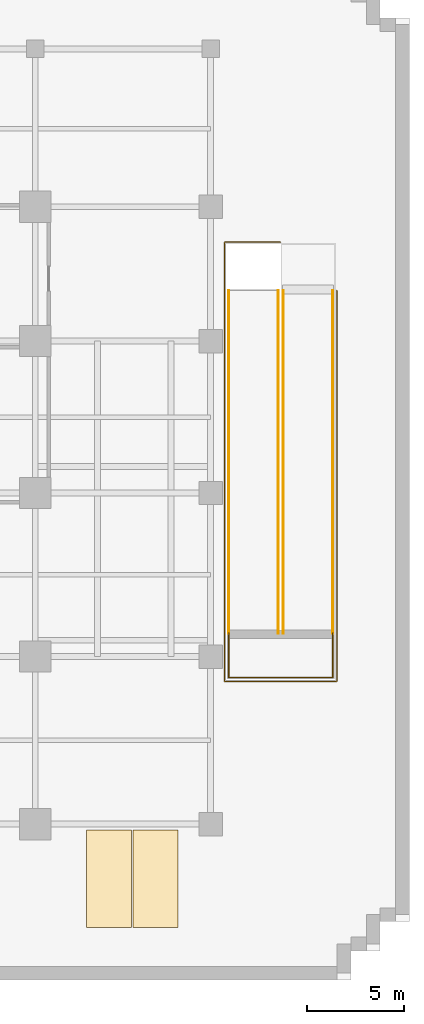
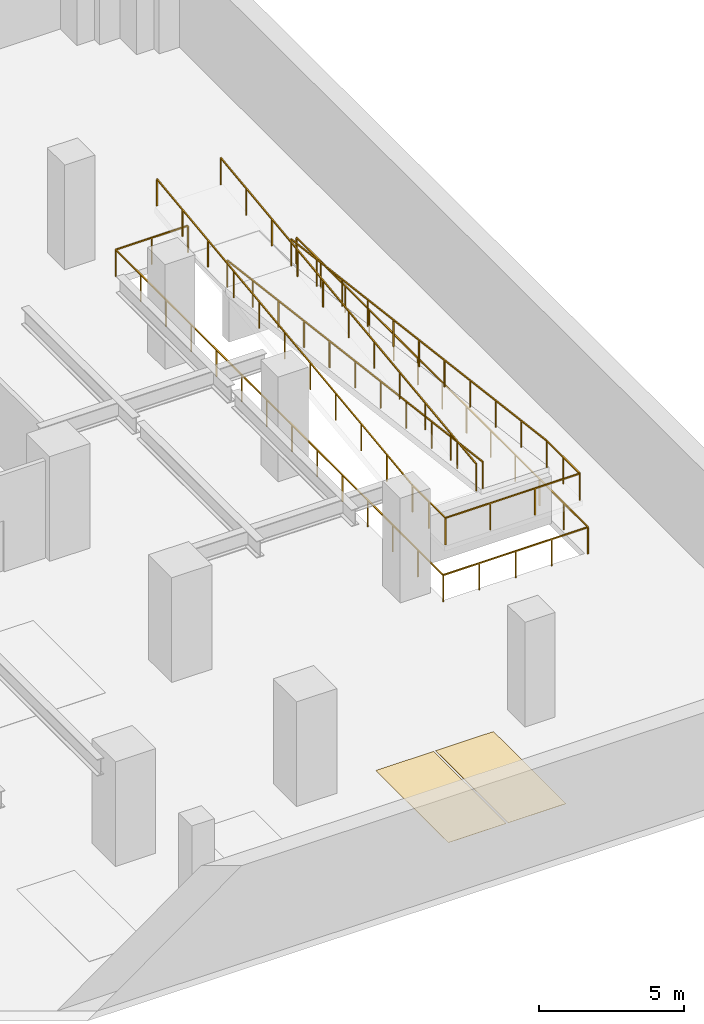
# One storey, part 13 of 14: 6 railings, 2 coverings.
"""IFC4 building model written with IfcOpenShell, lengths in metres."""

from ifc_helpers import new_model, si_unit, direction, frame, origin, origin_2d, place, context, subcontext, project, spatial, polyline, rectangle, outline, extrude, material, layer, layer_set, type_object, element, save


model = new_model("IFC4")

# Units and contexts
model_context = context("Model", 3, precision=1e-05, world=origin(), true_north=direction((0.0, 1.0)))
body_context = subcontext(model_context, "Body", "Model", "MODEL_VIEW")
ifc_project = project(units=[si_unit("LENGTHUNIT", "METRE"), si_unit("AREAUNIT", "SQUARE_METRE"), si_unit("VOLUMEUNIT", "CUBIC_METRE"), si_unit("PLANEANGLEUNIT", "RADIAN"), si_unit("MASSUNIT", "GRAM", prefix="KILO")], contexts=[model_context])

# Site, building, storey
site_placement = place(None, origin())
site = spatial("IfcSite", under=ifc_project, at=site_placement, CompositionType="ELEMENT")
building_placement = place(site_placement, origin())
building = spatial("IfcBuilding", under=site, at=building_placement, Name="Zarnakvel Exchange Tower", CompositionType="ELEMENT")
storey_placement = place(building_placement, frame((0.0, 0.0, -4.39990234375)))
storey = spatial("IfcBuildingStorey", under=building, at=storey_placement, Name="B01", CompositionType="ELEMENT", Elevation=-4.39990234375)

# Coverings
ifc_material_1 = material(Name="Thermoplastic Acrylic Bay Marking", Category="finish")
ifc_layer = layer(ifc_material_1, 0.010009765625)
ifc_layer_set = layer_set([ifc_layer], Name="Thermoplastic Acrylic Bay Marking")
covering_type = type_object("IfcCoveringType", Name="MK-01", PredefinedType="FLOORING", material=ifc_layer_set)
covering_1_placement = place(storey_placement, origin())
element("IfcCovering", 1, at=covering_1_placement, inside=storey, type_object=covering_type, Name="B01 Standard Parking Bay Marking B01-11", PredefinedType="FLOORING", context=body_context, shape_type="SweptSolid", body=[
    extrude(outline(polyline([(24.239990234375, -23.5), (26.5400390625, -23.5), (26.5400390625, -18.5), (24.239990234375, -18.5), (24.239990234375, -23.5)])), origin(), (0.0, 0.0, 1.0), 0.010009765625),
])
covering_2_placement = place(storey_placement, origin())
element("IfcCovering", 2, at=covering_2_placement, inside=storey, type_object=covering_type, Name="B01 Standard Parking Bay Marking B01-12", PredefinedType="FLOORING", context=body_context, shape_type="SweptSolid", body=[
    extrude(outline(polyline([(26.6201171875, -23.5), (28.919921875, -23.5), (28.919921875, -18.5), (26.6201171875, -18.5), (26.6201171875, -23.5)])), origin(), (0.0, 0.0, 1.0), 0.010009765625),
])

# Railings
ifc_material_2 = material(Name="Architectural Bronze Anodised Aluminium", Category="aluminium")
railing_type = type_object("IfcRailingType", Name="SG-01", PredefinedType="GUARDRAIL", material=ifc_material_2)
railing_1_placement = place(storey_placement, frame((34.330078125, 9.199951171875, 0.0)))
element("IfcRailing", 3, at=railing_1_placement, inside=storey, type_object=railing_type, Name="B01 Ramp Flight 1 Guard FL1W", PredefinedType="GUARDRAIL", context=body_context, shape_type="SweptSolid", body=[
    extrude(rectangle(XDim=0.048095703125, YDim=0.048095703125, at=origin_2d()), frame((0.0, 0.0, 1.1259765625), z_axis=(0.0, -0.992278088476, 0.124033040481), x_axis=(1.0, 0.0, 0.0)), (0.0, 0.0, 1.0), 17.73681640625),
    extrude(rectangle(XDim=0.0419921875, YDim=0.0419921875, at=origin_2d()), origin(), (0.0, 0.0, 1.0), 1.101806640625),
    extrude(rectangle(XDim=0.0419921875, YDim=0.0419921875, at=origin_2d()), frame((0.0, -1.760009765625, 0.219970703125)), (0.0, 0.0, 1.0), 1.101806640625),
    extrude(rectangle(XDim=0.0419921875, YDim=0.0419921875, at=origin_2d()), frame((0.0, -3.52001953125, 0.43994140625)), (0.0, 0.0, 1.0), 1.101806640625),
    extrude(rectangle(XDim=0.0419921875, YDim=0.0419921875, at=origin_2d()), frame((0.0, -5.280029296875, 0.659912109375)), (0.0, 0.0, 1.0), 1.101806640625),
    extrude(rectangle(XDim=0.0419921875, YDim=0.0419921875, at=origin_2d()), frame((0.0, -7.0400390625, 0.8798828125)), (0.0, 0.0, 1.0), 1.101806640625),
    extrude(rectangle(XDim=0.0419921875, YDim=0.0419921875, at=origin_2d()), frame((0.0, -8.7998046875, 1.10009765625)), (0.0, 0.0, 1.0), 1.101806640625),
    extrude(rectangle(XDim=0.0419921875, YDim=0.0419921875, at=origin_2d()), frame((0.0, -10.559814453125, 1.320068359375)), (0.0, 0.0, 1.0), 1.101806640625),
    extrude(rectangle(XDim=0.0419921875, YDim=0.0419921875, at=origin_2d()), frame((0.0, -12.31982421875, 1.5400390625)), (0.0, 0.0, 1.0), 1.101806640625),
    extrude(rectangle(XDim=0.0419921875, YDim=0.0419921875, at=origin_2d()), frame((0.0, -14.079833984375, 1.760009765625)), (0.0, 0.0, 1.0), 1.101806640625),
    extrude(rectangle(XDim=0.0419921875, YDim=0.0419921875, at=origin_2d()), frame((0.0, -15.83984375, 1.97998046875)), (0.0, 0.0, 1.0), 1.101806640625),
    extrude(rectangle(XDim=0.0419921875, YDim=0.0419921875, at=origin_2d()), frame((0.0, -17.599853515625, 2.199951171875)), (0.0, 0.0, 1.0), 1.101806640625),
])
railing_2_placement = place(storey_placement, frame((36.8701171875, 9.199951171875, 0.0)))
element("IfcRailing", 4, at=railing_2_placement, inside=storey, type_object=railing_type, Name="B01 Ramp Flight 1 Guard FL1E", PredefinedType="GUARDRAIL", context=body_context, shape_type="SweptSolid", body=[
    extrude(rectangle(XDim=0.048095703125, YDim=0.048095703125, at=origin_2d()), frame((0.0, 0.0, 1.1259765625), z_axis=(0.0, -0.992278088476, 0.124033040481), x_axis=(1.0, 0.0, 0.0)), (0.0, 0.0, 1.0), 17.73681640625),
    extrude(rectangle(XDim=0.0419921875, YDim=0.0419921875, at=origin_2d()), origin(), (0.0, 0.0, 1.0), 1.101806640625),
    extrude(rectangle(XDim=0.0419921875, YDim=0.0419921875, at=origin_2d()), frame((0.0, -1.760009765625, 0.219970703125)), (0.0, 0.0, 1.0), 1.101806640625),
    extrude(rectangle(XDim=0.0419921875, YDim=0.0419921875, at=origin_2d()), frame((0.0, -3.52001953125, 0.43994140625)), (0.0, 0.0, 1.0), 1.101806640625),
    extrude(rectangle(XDim=0.0419921875, YDim=0.0419921875, at=origin_2d()), frame((0.0, -5.280029296875, 0.659912109375)), (0.0, 0.0, 1.0), 1.101806640625),
    extrude(rectangle(XDim=0.0419921875, YDim=0.0419921875, at=origin_2d()), frame((0.0, -7.0400390625, 0.8798828125)), (0.0, 0.0, 1.0), 1.101806640625),
    extrude(rectangle(XDim=0.0419921875, YDim=0.0419921875, at=origin_2d()), frame((0.0, -8.7998046875, 1.10009765625)), (0.0, 0.0, 1.0), 1.101806640625),
    extrude(rectangle(XDim=0.0419921875, YDim=0.0419921875, at=origin_2d()), frame((0.0, -10.559814453125, 1.320068359375)), (0.0, 0.0, 1.0), 1.101806640625),
    extrude(rectangle(XDim=0.0419921875, YDim=0.0419921875, at=origin_2d()), frame((0.0, -12.31982421875, 1.5400390625)), (0.0, 0.0, 1.0), 1.101806640625),
    extrude(rectangle(XDim=0.0419921875, YDim=0.0419921875, at=origin_2d()), frame((0.0, -14.079833984375, 1.760009765625)), (0.0, 0.0, 1.0), 1.101806640625),
    extrude(rectangle(XDim=0.0419921875, YDim=0.0419921875, at=origin_2d()), frame((0.0, -15.83984375, 1.97998046875)), (0.0, 0.0, 1.0), 1.101806640625),
    extrude(rectangle(XDim=0.0419921875, YDim=0.0419921875, at=origin_2d()), frame((0.0, -17.599853515625, 2.199951171875)), (0.0, 0.0, 1.0), 1.101806640625),
])
railing_3_placement = place(storey_placement, frame((31.530029296875, -8.39990234375, 2.199951171875)))
element("IfcRailing", 5, at=railing_3_placement, inside=storey, type_object=railing_type, Name="B01 Ramp Flight 2 Guard FL2W", PredefinedType="GUARDRAIL", context=body_context, shape_type="SweptSolid", body=[
    extrude(rectangle(XDim=0.048095703125, YDim=0.048095703125, at=origin_2d()), frame((0.0, 0.0, 1.1259765625), z_axis=(0.0, 0.992278088476, 0.124033040481), x_axis=(-1.0, 0.0, 0.0)), (0.0, 0.0, 1.0), 17.73681640625),
    extrude(rectangle(XDim=0.0419921875, YDim=0.0419921875, at=origin_2d()), origin(), (0.0, 0.0, 1.0), 1.101806640625),
    extrude(rectangle(XDim=0.0419921875, YDim=0.0419921875, at=origin_2d()), frame((0.0, 1.760009765625, 0.219970703125)), (0.0, 0.0, 1.0), 1.101806640625),
    extrude(rectangle(XDim=0.0419921875, YDim=0.0419921875, at=origin_2d()), frame((0.0, 3.52001953125, 0.43994140625)), (0.0, 0.0, 1.0), 1.101806640625),
    extrude(rectangle(XDim=0.0419921875, YDim=0.0419921875, at=origin_2d()), frame((0.0, 5.280029296875, 0.659912109375)), (0.0, 0.0, 1.0), 1.101806640625),
    extrude(rectangle(XDim=0.0419921875, YDim=0.0419921875, at=origin_2d()), frame((0.0, 7.0400390625, 0.8798828125)), (0.0, 0.0, 1.0), 1.101806640625),
    extrude(rectangle(XDim=0.0419921875, YDim=0.0419921875, at=origin_2d()), frame((0.0, 8.7998046875, 1.10009765625)), (0.0, 0.0, 1.0), 1.101806640625),
    extrude(rectangle(XDim=0.0419921875, YDim=0.0419921875, at=origin_2d()), frame((0.0, 10.559814453125, 1.320068359375)), (0.0, 0.0, 1.0), 1.101806640625),
    extrude(rectangle(XDim=0.0419921875, YDim=0.0419921875, at=origin_2d()), frame((0.0, 12.31982421875, 1.5400390625)), (0.0, 0.0, 1.0), 1.101806640625),
    extrude(rectangle(XDim=0.0419921875, YDim=0.0419921875, at=origin_2d()), frame((0.0, 14.079833984375, 1.760009765625)), (0.0, 0.0, 1.0), 1.101806640625),
    extrude(rectangle(XDim=0.0419921875, YDim=0.0419921875, at=origin_2d()), frame((0.0, 15.83984375, 1.97998046875)), (0.0, 0.0, 1.0), 1.101806640625),
    extrude(rectangle(XDim=0.0419921875, YDim=0.0419921875, at=origin_2d()), frame((0.0, 17.599853515625, 2.199951171875)), (0.0, 0.0, 1.0), 1.101806640625),
])
railing_4_placement = place(storey_placement, frame((34.070068359375, -8.39990234375, 2.199951171875)))
element("IfcRailing", 6, at=railing_4_placement, inside=storey, type_object=railing_type, Name="B01 Ramp Flight 2 Guard FL2E", PredefinedType="GUARDRAIL", context=body_context, shape_type="SweptSolid", body=[
    extrude(rectangle(XDim=0.048095703125, YDim=0.048095703125, at=origin_2d()), frame((0.0, 0.0, 1.1259765625), z_axis=(0.0, 0.992278088476, 0.124033040481), x_axis=(-1.0, 0.0, 0.0)), (0.0, 0.0, 1.0), 17.73681640625),
    extrude(rectangle(XDim=0.0419921875, YDim=0.0419921875, at=origin_2d()), origin(), (0.0, 0.0, 1.0), 1.101806640625),
    extrude(rectangle(XDim=0.0419921875, YDim=0.0419921875, at=origin_2d()), frame((0.0, 1.760009765625, 0.219970703125)), (0.0, 0.0, 1.0), 1.101806640625),
    extrude(rectangle(XDim=0.0419921875, YDim=0.0419921875, at=origin_2d()), frame((0.0, 3.52001953125, 0.43994140625)), (0.0, 0.0, 1.0), 1.101806640625),
    extrude(rectangle(XDim=0.0419921875, YDim=0.0419921875, at=origin_2d()), frame((0.0, 5.280029296875, 0.659912109375)), (0.0, 0.0, 1.0), 1.101806640625),
    extrude(rectangle(XDim=0.0419921875, YDim=0.0419921875, at=origin_2d()), frame((0.0, 7.0400390625, 0.8798828125)), (0.0, 0.0, 1.0), 1.101806640625),
    extrude(rectangle(XDim=0.0419921875, YDim=0.0419921875, at=origin_2d()), frame((0.0, 8.7998046875, 1.10009765625)), (0.0, 0.0, 1.0), 1.101806640625),
    extrude(rectangle(XDim=0.0419921875, YDim=0.0419921875, at=origin_2d()), frame((0.0, 10.559814453125, 1.320068359375)), (0.0, 0.0, 1.0), 1.101806640625),
    extrude(rectangle(XDim=0.0419921875, YDim=0.0419921875, at=origin_2d()), frame((0.0, 12.31982421875, 1.5400390625)), (0.0, 0.0, 1.0), 1.101806640625),
    extrude(rectangle(XDim=0.0419921875, YDim=0.0419921875, at=origin_2d()), frame((0.0, 14.079833984375, 1.760009765625)), (0.0, 0.0, 1.0), 1.101806640625),
    extrude(rectangle(XDim=0.0419921875, YDim=0.0419921875, at=origin_2d()), frame((0.0, 15.83984375, 1.97998046875)), (0.0, 0.0, 1.0), 1.101806640625),
    extrude(rectangle(XDim=0.0419921875, YDim=0.0419921875, at=origin_2d()), frame((0.0, 17.599853515625, 2.199951171875)), (0.0, 0.0, 1.0), 1.101806640625),
])
railing_5_placement = place(storey_placement, frame((31.530029296875, -8.39990234375, 2.199951171875)))
element("IfcRailing", 7, at=railing_5_placement, inside=storey, type_object=railing_type, Name="B01 Ramp Mid-Landing Guardrail", PredefinedType="GUARDRAIL", context=body_context, shape_type="SweptSolid", body=[
    extrude(rectangle(XDim=0.048095703125, YDim=0.048095703125, at=origin_2d()), frame((0.0, 0.0, 1.1259765625), z_axis=(0.0, -1.0, 0.0), x_axis=(1.0, 0.0, 0.0)), (0.0, 0.0, 1.0), 2.27001953125),
    extrude(rectangle(XDim=0.048095703125, YDim=0.048095703125, at=origin_2d()), frame((0.0, -2.27001953125, 1.1259765625), z_axis=(1.0, 0.0, 0.0), x_axis=(0.0, 1.0, 0.0)), (0.0, 0.0, 1.0), 5.340087890625),
    extrude(rectangle(XDim=0.048095703125, YDim=0.048095703125, at=origin_2d()), frame((5.340087890625, -2.27001953125, 1.1259765625), z_axis=(0.0, 1.0, 0.0), x_axis=(-1.0, 0.0, 0.0)), (0.0, 0.0, 1.0), 2.27001953125),
    extrude(rectangle(XDim=0.0419921875, YDim=0.0419921875, at=origin_2d()), origin(), (0.0, 0.0, 1.0), 1.101806640625),
    extrude(rectangle(XDim=0.0419921875, YDim=0.0419921875, at=origin_2d()), frame((0.0, -1.135009765625, 0.0)), (0.0, 0.0, 1.0), 1.101806640625),
    extrude(rectangle(XDim=0.0419921875, YDim=0.0419921875, at=origin_2d()), frame((0.0, -2.27001953125, 0.0)), (0.0, 0.0, 1.0), 1.101806640625),
    extrude(rectangle(XDim=0.0419921875, YDim=0.0419921875, at=origin_2d()), frame((1.780029296875, -2.27001953125, 0.0)), (0.0, 0.0, 1.0), 1.101806640625),
    extrude(rectangle(XDim=0.0419921875, YDim=0.0419921875, at=origin_2d()), frame((3.56005859375, -2.27001953125, 0.0)), (0.0, 0.0, 1.0), 1.101806640625),
    extrude(rectangle(XDim=0.0419921875, YDim=0.0419921875, at=origin_2d()), frame((5.340087890625, -2.27001953125, 0.0)), (0.0, 0.0, 1.0), 1.101806640625),
    extrude(rectangle(XDim=0.0419921875, YDim=0.0419921875, at=origin_2d()), frame((5.340087890625, -1.135009765625, 0.0)), (0.0, 0.0, 1.0), 1.101806640625),
    extrude(rectangle(XDim=0.0419921875, YDim=0.0419921875, at=origin_2d()), frame((5.340087890625, 0.0, 0.0)), (0.0, 0.0, 1.0), 1.101806640625),
])
railing_6_placement = place(storey_placement, frame((34.199951171875, 11.679931640625, 0.0)))
element("IfcRailing", 8, at=railing_6_placement, inside=storey, type_object=railing_type, Name="B01 Ramp Void Perimeter Guardrail", PredefinedType="GUARDRAIL", context=body_context, shape_type="SweptSolid", body=[
    extrude(rectangle(XDim=0.048095703125, YDim=0.048095703125, at=origin_2d()), frame((0.0, 0.0, 1.1259765625), z_axis=(-1.0, 0.0, 0.0), x_axis=(0.0, -1.0, 0.0)), (0.0, 0.0, 1.0), 2.8798828125),
    extrude(rectangle(XDim=0.048095703125, YDim=0.048095703125, at=origin_2d()), frame((-2.8798828125, 0.0, 1.1259765625), z_axis=(0.0, -1.0, 0.0), x_axis=(1.0, 0.0, 0.0)), (0.0, 0.0, 1.0), 22.559814453125),
    extrude(rectangle(XDim=0.048095703125, YDim=0.048095703125, at=origin_2d()), frame((-2.8798828125, -22.559814453125, 1.1259765625), z_axis=(1.0, 0.0, 0.0), x_axis=(0.0, 1.0, 0.0)), (0.0, 0.0, 1.0), 5.760009765625),
    extrude(rectangle(XDim=0.048095703125, YDim=0.048095703125, at=origin_2d()), frame((2.880126953125, -22.559814453125, 1.1259765625), z_axis=(0.0, 1.0, 0.0), x_axis=(-1.0, 0.0, 0.0)), (0.0, 0.0, 1.0), 20.079833984375),
    extrude(rectangle(XDim=0.0419921875, YDim=0.0419921875, at=origin_2d()), origin(), (0.0, 0.0, 1.0), 1.101806640625),
    extrude(rectangle(XDim=0.0419921875, YDim=0.0419921875, at=origin_2d()), frame((-1.43994140625, 0.0, 0.0)), (0.0, 0.0, 1.0), 1.101806640625),
    extrude(rectangle(XDim=0.0419921875, YDim=0.0419921875, at=origin_2d()), frame((-2.8798828125, 0.0, 0.0)), (0.0, 0.0, 1.0), 1.101806640625),
    extrude(rectangle(XDim=0.0419921875, YDim=0.0419921875, at=origin_2d()), frame((-2.8798828125, -1.7353515625, 0.0)), (0.0, 0.0, 1.0), 1.101806640625),
    extrude(rectangle(XDim=0.0419921875, YDim=0.0419921875, at=origin_2d()), frame((-2.8798828125, -3.470703125, 0.0)), (0.0, 0.0, 1.0), 1.101806640625),
    extrude(rectangle(XDim=0.0419921875, YDim=0.0419921875, at=origin_2d()), frame((-2.8798828125, -5.2060546875, 0.0)), (0.0, 0.0, 1.0), 1.101806640625),
    extrude(rectangle(XDim=0.0419921875, YDim=0.0419921875, at=origin_2d()), frame((-2.8798828125, -6.94140625, 0.0)), (0.0, 0.0, 1.0), 1.101806640625),
    extrude(rectangle(XDim=0.0419921875, YDim=0.0419921875, at=origin_2d()), frame((-2.8798828125, -8.6767578125, 0.0)), (0.0, 0.0, 1.0), 1.101806640625),
    extrude(rectangle(XDim=0.0419921875, YDim=0.0419921875, at=origin_2d()), frame((-2.8798828125, -10.412109375, 0.0)), (0.0, 0.0, 1.0), 1.101806640625),
    extrude(rectangle(XDim=0.0419921875, YDim=0.0419921875, at=origin_2d()), frame((-2.8798828125, -12.147705078125, 0.0)), (0.0, 0.0, 1.0), 1.101806640625),
    extrude(rectangle(XDim=0.0419921875, YDim=0.0419921875, at=origin_2d()), frame((-2.8798828125, -13.883056640625, 0.0)), (0.0, 0.0, 1.0), 1.101806640625),
    extrude(rectangle(XDim=0.0419921875, YDim=0.0419921875, at=origin_2d()), frame((-2.8798828125, -15.618408203125, 0.0)), (0.0, 0.0, 1.0), 1.101806640625),
    extrude(rectangle(XDim=0.0419921875, YDim=0.0419921875, at=origin_2d()), frame((-2.8798828125, -17.353759765625, 0.0)), (0.0, 0.0, 1.0), 1.101806640625),
    extrude(rectangle(XDim=0.0419921875, YDim=0.0419921875, at=origin_2d()), frame((-2.8798828125, -19.089111328125, 0.0)), (0.0, 0.0, 1.0), 1.101806640625),
    extrude(rectangle(XDim=0.0419921875, YDim=0.0419921875, at=origin_2d()), frame((-2.8798828125, -20.824462890625, 0.0)), (0.0, 0.0, 1.0), 1.101806640625),
    extrude(rectangle(XDim=0.0419921875, YDim=0.0419921875, at=origin_2d()), frame((-2.8798828125, -22.559814453125, 0.0)), (0.0, 0.0, 1.0), 1.101806640625),
    extrude(rectangle(XDim=0.0419921875, YDim=0.0419921875, at=origin_2d()), frame((-1.43994140625, -22.559814453125, 0.0)), (0.0, 0.0, 1.0), 1.101806640625),
    extrude(rectangle(XDim=0.0419921875, YDim=0.0419921875, at=origin_2d()), frame((0.0, -22.559814453125, 0.0)), (0.0, 0.0, 1.0), 1.101806640625),
    extrude(rectangle(XDim=0.0419921875, YDim=0.0419921875, at=origin_2d()), frame((1.440185546875, -22.559814453125, 0.0)), (0.0, 0.0, 1.0), 1.101806640625),
    extrude(rectangle(XDim=0.0419921875, YDim=0.0419921875, at=origin_2d()), frame((2.880126953125, -22.559814453125, 0.0)), (0.0, 0.0, 1.0), 1.101806640625),
    extrude(rectangle(XDim=0.0419921875, YDim=0.0419921875, at=origin_2d()), frame((2.880126953125, -20.886474609375, 0.0)), (0.0, 0.0, 1.0), 1.101806640625),
    extrude(rectangle(XDim=0.0419921875, YDim=0.0419921875, at=origin_2d()), frame((2.880126953125, -19.213134765625, 0.0)), (0.0, 0.0, 1.0), 1.101806640625),
    extrude(rectangle(XDim=0.0419921875, YDim=0.0419921875, at=origin_2d()), frame((2.880126953125, -17.539794921875, 0.0)), (0.0, 0.0, 1.0), 1.101806640625),
    extrude(rectangle(XDim=0.0419921875, YDim=0.0419921875, at=origin_2d()), frame((2.880126953125, -15.866455078125, 0.0)), (0.0, 0.0, 1.0), 1.101806640625),
    extrude(rectangle(XDim=0.0419921875, YDim=0.0419921875, at=origin_2d()), frame((2.880126953125, -14.193115234375, 0.0)), (0.0, 0.0, 1.0), 1.101806640625),
    extrude(rectangle(XDim=0.0419921875, YDim=0.0419921875, at=origin_2d()), frame((2.880126953125, -12.52001953125, 0.0)), (0.0, 0.0, 1.0), 1.101806640625),
    extrude(rectangle(XDim=0.0419921875, YDim=0.0419921875, at=origin_2d()), frame((2.880126953125, -10.8466796875, 0.0)), (0.0, 0.0, 1.0), 1.101806640625),
    extrude(rectangle(XDim=0.0419921875, YDim=0.0419921875, at=origin_2d()), frame((2.880126953125, -9.17333984375, 0.0)), (0.0, 0.0, 1.0), 1.101806640625),
    extrude(rectangle(XDim=0.0419921875, YDim=0.0419921875, at=origin_2d()), frame((2.880126953125, -7.5, 0.0)), (0.0, 0.0, 1.0), 1.101806640625),
    extrude(rectangle(XDim=0.0419921875, YDim=0.0419921875, at=origin_2d()), frame((2.880126953125, -5.82666015625, 0.0)), (0.0, 0.0, 1.0), 1.101806640625),
    extrude(rectangle(XDim=0.0419921875, YDim=0.0419921875, at=origin_2d()), frame((2.880126953125, -4.1533203125, 0.0)), (0.0, 0.0, 1.0), 1.101806640625),
    extrude(rectangle(XDim=0.0419921875, YDim=0.0419921875, at=origin_2d()), frame((2.880126953125, -2.47998046875, 0.0)), (0.0, 0.0, 1.0), 1.101806640625),
])

save(model, "model.ifc")
